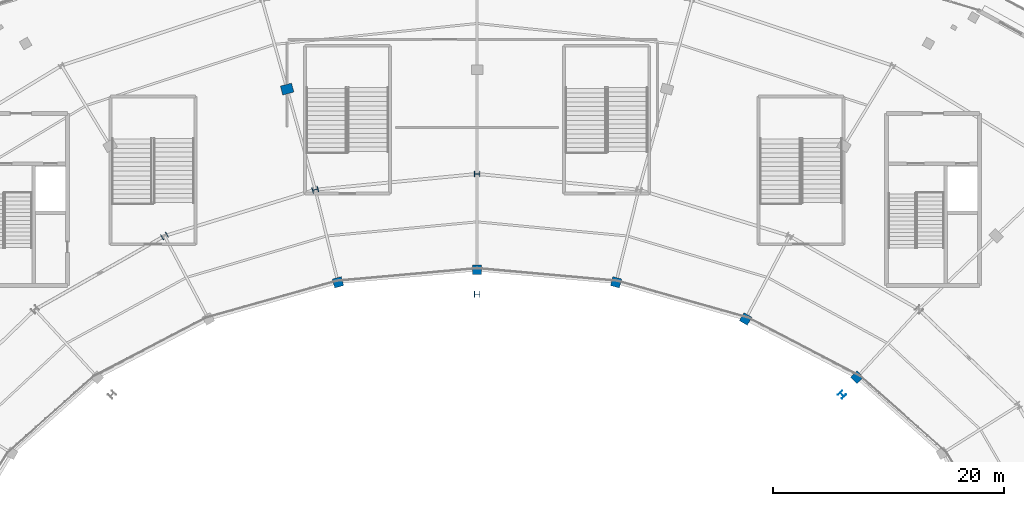
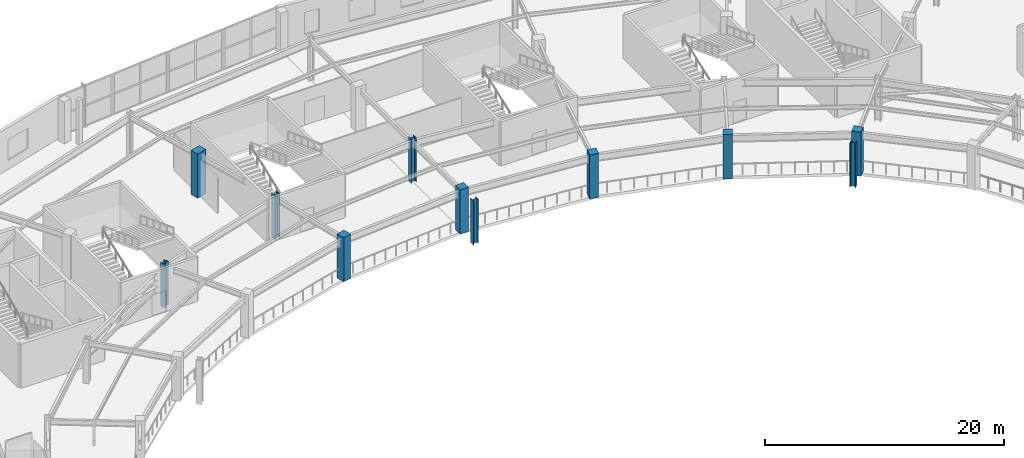
# One storey, part 8 of 107: 11 columns.
"""IFC4 building model written with IfcOpenShell, lengths in metres."""

from ifc_helpers import new_model, si_unit, direction, frame, origin, origin_2d, place, context, subcontext, project, spatial, rectangle, i_section, extrude, material, material_profile, profile_set, type_object, element, save


model = new_model("IFC4")

# Units and contexts
model_context = context("Model", 3, precision=1e-05, world=origin(), true_north=direction((0.0, 1.0)))
body_context = subcontext(model_context, "Body", "Model", "MODEL_VIEW")
ifc_project = project(units=[si_unit("LENGTHUNIT", "METRE"), si_unit("AREAUNIT", "SQUARE_METRE"), si_unit("VOLUMEUNIT", "CUBIC_METRE"), si_unit("PLANEANGLEUNIT", "RADIAN"), si_unit("MASSUNIT", "GRAM", prefix="KILO")], contexts=[model_context])

# Site, building, storey
site_placement = place(None, origin())
site = spatial("IfcSite", under=ifc_project, at=site_placement, CompositionType="ELEMENT")
building_placement = place(site_placement, origin())
building = spatial("IfcBuilding", under=site, at=building_placement, Name="Kalgoora Escarpment Arena", CompositionType="ELEMENT")
storey_placement = place(building_placement, frame((0.0, 0.0, 5.39990234375)))
storey = spatial("IfcBuildingStorey", under=building, at=storey_placement, Name="L01", CompositionType="ELEMENT", Elevation=5.39990234375)

# Columns
ifc_material_1 = material(Name="Structural steel Grade 350 (350 MPa)", Category="steel")
ifc_material_profile_1 = material_profile(ifc_material_1, i_section(OverallWidth=0.5, OverallDepth=0.5, WebThickness=0.02001953125, FlangeThickness=0.034912109375, at=origin_2d()))
ifc_profile_set_1 = profile_set([ifc_material_profile_1], Name="Structural steel Grade 350 (350 MPa)")
column_type_1 = type_object("IfcColumnType", Name="COL-COL-500WC340", PredefinedType="COLUMN", material=ifc_profile_set_1)
for number, where, z_axis, x_axis, name in (
    (1, (92.39990234375, 104.0, 0.0), (0.0, 0.0, 1.0), (0.0, 1.0, 0.0), "L01 structural column COL-RMAIN-R07"),
    (2, (78.423828125, 102.636962890625, 0.0), (0.0, 0.0, 1.0), (-0.258819045103, 0.965925826289, 0.0), "L01 structural column COL-RMAIN-R08"),
    (3, (65.39990234375, 98.64111328125, 0.0), (0.0, 0.0, 1.0), (-0.5, 0.866025403784, 0.0), "L01 structural column COL-RMAIN-R09"),
    (4, (123.93701171875, 84.930419921875, 0.0), (0.0, 0.0, 1.0), (0.707106781187, 0.707106781187, 0.0), "L01 structural column COL-TSPINE-S02"),
    (5, (92.39990234375, 93.60009765625, 0.0), (0.0, 0.0, 1.0), (0.0, 1.0, 0.0), "L01 structural column COL-TSPINE-S03"),
):
    element("IfcColumn", number, at=place(storey_placement, frame(where, z_axis=z_axis, x_axis=x_axis)), inside=storey, type_object=column_type_1, Name=name, PredefinedType="COLUMN", context=body_context, shape_type="SweptSolid", body=[
        extrude(i_section(OverallWidth=0.5, OverallDepth=0.5, WebThickness=0.02001953125, FlangeThickness=0.034912109375, at=origin_2d()), origin(), (0.0, 0.0, 1.0), 4.5),
    ])
ifc_material_2 = material(Name="Concrete N50 (fc' 50 MPa)", Category="concrete")
ifc_material_profile_2 = material_profile(ifc_material_2, rectangle(XDim=0.800048828125, YDim=1.0, at=origin_2d()))
ifc_profile_set_2 = profile_set([ifc_material_profile_2], Name="Concrete N50 (fc' 50 MPa)")
column_type_2 = type_object("IfcColumnType", Name="COL-COL-RC1000x800", PredefinedType="COLUMN", material=ifc_profile_set_2)
column_placement = place(storey_placement, frame((75.990966796875, 111.330322265625, 0.0), z_axis=(0.0, 0.0, 1.0), x_axis=(-0.258819045103, 0.965925826289, 0.0)))
element("IfcColumn", 6, at=column_placement, inside=storey, type_object=column_type_2, Name="L01 structural column COL-RCONC1-R08", PredefinedType="COLUMN", context=body_context, shape_type="SweptSolid", body=[
    extrude(rectangle(XDim=0.800048828125, YDim=1.0, at=origin_2d()), origin(), (0.0, 0.0, 1.0), 4.5),
])
ifc_material_3 = material(Name="Concrete N50 (fc' 50 MPa)", Category="concrete")
ifc_material_profile_3 = material_profile(ifc_material_3, rectangle(XDim=0.800048828125, YDim=0.800048828125, at=origin_2d()))
ifc_profile_set_3 = profile_set([ifc_material_profile_3], Name="Concrete N50 (fc' 50 MPa)")
column_type_3 = type_object("IfcColumnType", Name="COL-COL-RC800x800", PredefinedType="COLUMN", material=ifc_profile_set_3)
for number, where, z_axis, x_axis, name in (
    (7, (125.216796875, 86.429443359375, 0.0), (0.0, 0.0, 1.0), (0.707106781187, 0.707106781187, 0.0), "L01 structural column COL-RMID-R04"),
    (8, (115.60498046875, 91.47021484375, 0.0), (0.0, 0.0, 1.0), (0.5, 0.866025403784, 0.0), "L01 structural column COL-RMID-R05"),
    (9, (104.411865234375, 94.63916015625, 0.0), (0.0, 0.0, 1.0), (0.258819045103, 0.965925826289, 0.0), "L01 structural column COL-RMID-R06"),
    (10, (92.39990234375, 95.719970703125, 0.0), (0.0, 0.0, 1.0), (0.0, 1.0, 0.0), "L01 structural column COL-RMID-R07"),
    (11, (80.38818359375, 94.63916015625, 0.0), (0.0, 0.0, 1.0), (-0.258819045103, 0.965925826289, 0.0), "L01 structural column COL-RMID-R08"),
):
    element("IfcColumn", number, at=place(storey_placement, frame(where, z_axis=z_axis, x_axis=x_axis)), inside=storey, type_object=column_type_3, Name=name, PredefinedType="COLUMN", context=body_context, shape_type="SweptSolid", body=[
        extrude(rectangle(XDim=0.800048828125, YDim=0.800048828125, at=origin_2d()), origin(), (0.0, 0.0, 1.0), 4.5),
    ])

save(model, "model.ifc")
